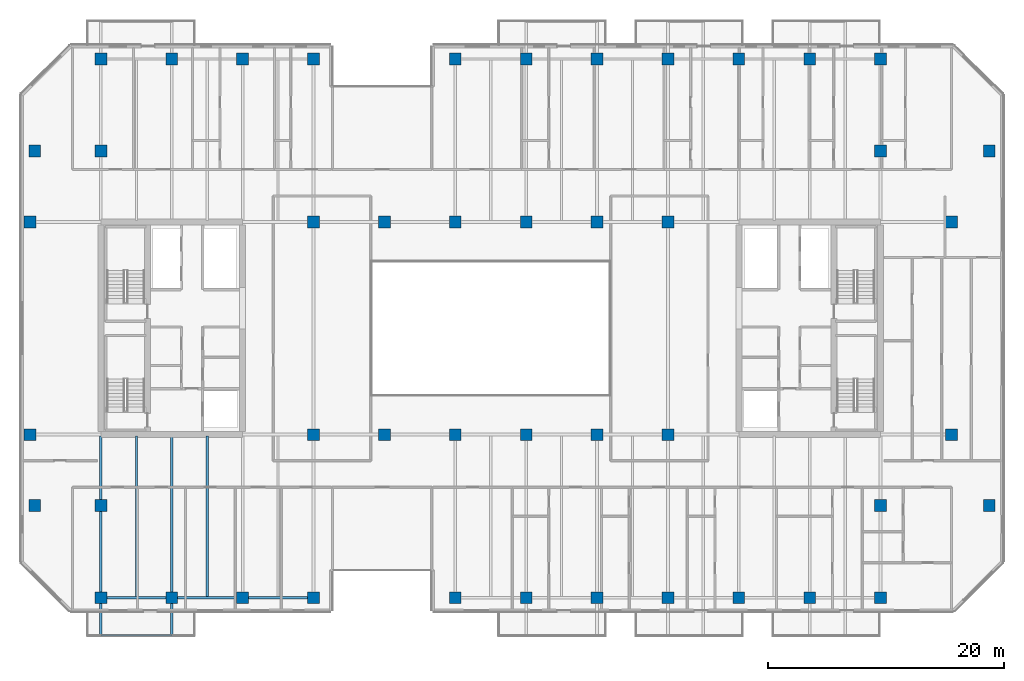
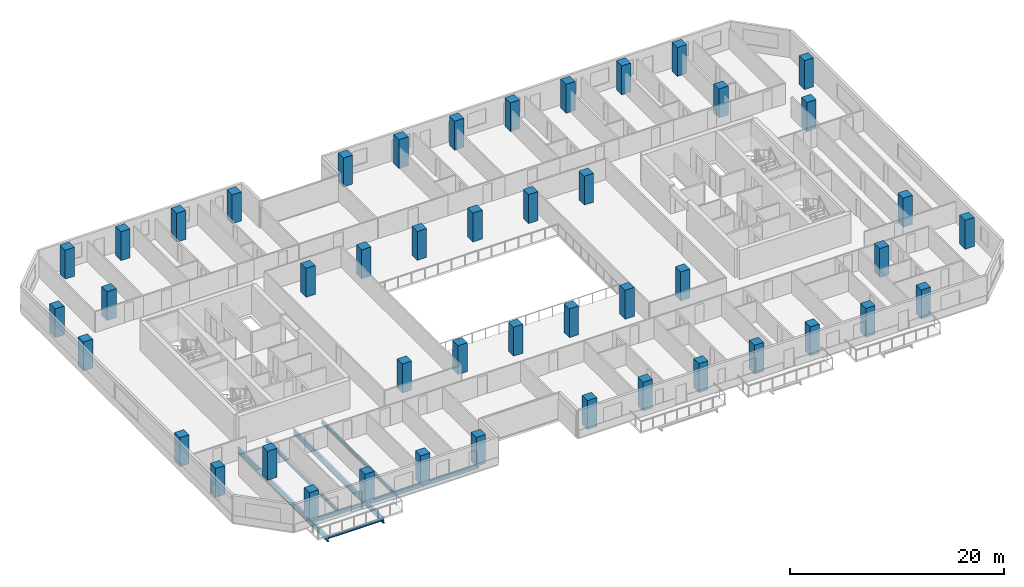
# One storey, part 1 of 23: 46 columns, 8 beams.
"""IFC4 building model written with IfcOpenShell, lengths in metres."""

import ifcopenshell
import ifcopenshell.guid

model = None  # the IFC model being written
_history = None  # IfcOwnerHistory: only IFC2X3 demands one
_inside = {}  # id of a spatial element -> (the spatial element, [elements in it])
_under = {}  # id of a project, library or spatial element -> (it, [spatial elements below it])
_declared = {}  # id of a project -> (the project, [libraries it declares])
_typed = {}  # id of a type object -> (the type object, [elements of that type])
_made_of = {}  # id of a material, layer set ... -> (it, [elements and type objects made of it])


def new_model(schema):
    """Start an empty IFC model of exactly this schema.

    Asked for "IFC4X3", IfcOpenShell would pick the latest addendum, in which some entities
    have other attributes; the version numbers below select the first issue.
    IFC2X3 requires an IfcOwnerHistory on every rooted entity: one is made here for all.
    """
    global model, _history
    if schema == "IFC4X3":
        model = ifcopenshell.file(schema_version=(4, 3, 0, 0))
    else:
        model = ifcopenshell.file(schema=schema)
    _inside.clear()
    _under.clear()
    _declared.clear()
    _typed.clear()
    _made_of.clear()
    _history = None
    if model.schema == "IFC2X3":
        org = make("IfcOrganization", Name="unknown")
        user = make(
            "IfcPersonAndOrganization",
            ThePerson=make("IfcPerson", FamilyName="unknown"),
            TheOrganization=org,
        )
        app = make(
            "IfcApplication",
            ApplicationDeveloper=org,
            Version="unknown",
            ApplicationFullName="unknown",
            ApplicationIdentifier="unknown",
        )
        _history = make(
            "IfcOwnerHistory",
            OwningUser=user,
            OwningApplication=app,
            ChangeAction="ADDED",
            CreationDate=0,
        )
    return model


def make(cls, **values):
    """One entity of the class cls with the attributes given. An attribute that is None is left unset."""
    return model.create_entity(
        cls, **{name: value for name, value in values.items() if value is not None}
    )


def rooted(cls, **values):
    """An entity with a GlobalId (a new one), such as an element, a storey or a relation."""
    return make(cls, GlobalId=ifcopenshell.guid.new(), OwnerHistory=_history, **values)


def si_unit(unit_type, name, prefix=None):
    """IfcSIUnit, for example si_unit("LENGTHUNIT", "METRE", prefix="MILLI")."""
    return make("IfcSIUnit", UnitType=unit_type, Prefix=prefix, Name=name)


def assignment(units):
    """IfcUnitAssignment: the units of a project."""
    return None if units is None else make("IfcUnitAssignment", Units=units)


def point(xyz):
    """IfcCartesianPoint."""
    return None if xyz is None else make("IfcCartesianPoint", Coordinates=xyz)


def direction(xyz):
    """IfcDirection."""
    return None if xyz is None else make("IfcDirection", DirectionRatios=xyz)


def frame(location, z_axis=None, x_axis=None):
    """IfcAxis2Placement3D, a coordinate frame: its origin and axes. An axis left out is left unset."""
    return make(
        "IfcAxis2Placement3D",
        Location=point(location),
        Axis=direction(z_axis),
        RefDirection=direction(x_axis),
    )


def frame_2d(location, x_axis=None):
    """IfcAxis2Placement2D, a coordinate frame in the plane: its origin and x axis."""
    return make(
        "IfcAxis2Placement2D", Location=point(location), RefDirection=direction(x_axis)
    )


def origin():
    """The frame at (0, 0, 0) with its axes left unset."""
    return frame((0.0, 0.0, 0.0))


def origin_2d():
    """The frame at (0, 0) in the plane with its x axis left unset."""
    return frame_2d((0.0, 0.0))


def place(relative_to, where):
    """IfcLocalPlacement: puts the frame where relative to a parent placement (None: the world)."""
    return make(
        "IfcLocalPlacement", PlacementRelTo=relative_to, RelativePlacement=where
    )


def context(
    kind, dimensions, precision=None, world=None, true_north=None, identifier=None
):
    """IfcGeometricRepresentationContext, for example the 3D "Model" context."""
    return make(
        "IfcGeometricRepresentationContext",
        ContextIdentifier=identifier,
        ContextType=kind,
        CoordinateSpaceDimension=dimensions,
        Precision=precision,
        WorldCoordinateSystem=world,
        TrueNorth=true_north,
    )


def subcontext(parent, identifier, kind, view, scale=None):
    """IfcGeometricRepresentationSubContext, for example "Body" below "Model"."""
    return make(
        "IfcGeometricRepresentationSubContext",
        ContextIdentifier=identifier,
        ContextType=kind,
        ParentContext=parent,
        TargetScale=scale,
        TargetView=view,
    )


def project(units=None, contexts=None):
    """IfcProject with its units and contexts."""
    return rooted(
        "IfcProject",
        Name="project",
        RepresentationContexts=contexts,
        UnitsInContext=assignment(units),
    )


def spatial(cls, under=None, at=None, **own):
    """A site, building, storey or space (cls), placed at a placement, below another one or the project."""
    s = rooted(cls, ObjectPlacement=at, **own)
    if under is not None:
        _under.setdefault(under.id(), (under, []))[1].append(s)
    return s


def profile(cls, at=None, kind="AREA", **sizes):
    """A parametric profile (cls). Its sizes go by their IFC names, for example OverallWidth=200.0."""
    return make(cls, ProfileType=kind, Position=at, **sizes)


def rectangle(**sizes):
    """IfcRectangleProfileDef."""
    return profile("IfcRectangleProfileDef", **sizes)


def hollow_rectangle(**sizes):
    """IfcRectangleHollowProfileDef."""
    return profile("IfcRectangleHollowProfileDef", **sizes)


def i_section(**sizes):
    """IfcIShapeProfileDef."""
    return profile("IfcIShapeProfileDef", **sizes)


def extrude(swept, where, along, depth):
    """IfcExtrudedAreaSolid: the profile swept, set in the frame where, extruded along a direction by depth."""
    return make(
        "IfcExtrudedAreaSolid",
        SweptArea=swept,
        Position=where,
        ExtrudedDirection=direction(along),
        Depth=depth,
    )


def shape(context_of_items, identifier, shape_type, items):
    """IfcShapeRepresentation: the items that make up one representation, for example the "Body"."""
    return make(
        "IfcShapeRepresentation",
        ContextOfItems=context_of_items,
        RepresentationIdentifier=identifier,
        RepresentationType=shape_type,
        Items=items,
    )


def material(Name=None, Category=None):
    """IfcMaterial."""
    return make("IfcMaterial", Name=Name, Category=Category)


def material_profile(
    of_material, cross_section, Name=None, Category=None, Priority=None
):
    """IfcMaterialProfile: a cross section and its material."""
    return make(
        "IfcMaterialProfile",
        Name=Name,
        Material=of_material,
        Profile=cross_section,
        Priority=Priority,
        Category=Category,
    )


def profile_set(profiles, Name=None, composite=None):
    """IfcMaterialProfileSet."""
    return make(
        "IfcMaterialProfileSet",
        Name=Name,
        MaterialProfiles=profiles,
        CompositeProfile=composite,
    )


def made_of(thing, what):
    """Note that an element or type object is made of a material, layer set ...; save() writes the relation."""
    if what is not None:
        _made_of.setdefault(what.id(), (what, []))[1].append(thing)
    return thing


def type_object(cls, material=None, **own):
    """A type object (cls), such as IfcWallType, which elements share."""
    return made_of(rooted(cls, **own), material)


def element(
    cls,
    number,
    at=None,
    inside=None,
    cuts=None,
    type_object=None,
    material=None,
    context=None,
    identifier="Body",
    shape_type=None,
    held_by="IfcProductDefinitionShape",
    body=None,
    shapes=None,
    **own,
):
    """One element of the class cls, such as IfcWall. Its Tag is "e" and its number.

    at: its placement. inside: the storey or other place that contains it. cuts: it is an
    opening in that element (IfcRelVoidsElement). A single representation is given by context,
    identifier, shape_type and body (its items); several are given by shapes. held_by: the class
    of the entity that holds the representations. save() writes the other relations.
    """
    e = rooted(cls, Tag="e%d" % number, ObjectPlacement=at, **own)
    if body is not None:
        shapes = [shape(context, identifier, shape_type, body)]
    if shapes is not None:
        e.Representation = make(held_by, Representations=shapes)
    if inside is not None:
        _inside.setdefault(inside.id(), (inside, []))[1].append(e)
    if cuts is not None:
        rooted(
            "IfcRelVoidsElement", RelatingBuildingElement=cuts, RelatedOpeningElement=e
        )
    if type_object is not None:
        _typed.setdefault(type_object.id(), (type_object, []))[1].append(e)
    return made_of(e, material)


def aggregate(whole, parts):
    """IfcRelAggregates: a whole, such as a stair, and the parts it consists of."""
    return rooted("IfcRelAggregates", RelatingObject=whole, RelatedObjects=parts)


def save(model, path):
    """Write the relations noted so far, then the file.

    IfcRelAggregates (storeys below a building ...), IfcRelContainedInSpatialStructure (elements
    in a storey), IfcRelDefinesByType, IfcRelAssociatesMaterial and IfcRelDeclares: one each for
    every whole, place, type object, material and project.
    """
    for whole, parts in _under.values():
        aggregate(whole, parts)
    for where, things in _inside.values():
        rooted(
            "IfcRelContainedInSpatialStructure",
            RelatedElements=things,
            RelatingStructure=where,
        )
    for kind, things in _typed.values():
        rooted("IfcRelDefinesByType", RelatedObjects=things, RelatingType=kind)
    for what, things in _made_of.values():
        rooted("IfcRelAssociatesMaterial", RelatedObjects=things, RelatingMaterial=what)
    for by, libraries in _declared.values():
        rooted("IfcRelDeclares", RelatingContext=by, RelatedDefinitions=libraries)
    model.write(path)


model = new_model("IFC4")

# Units and contexts
model_context = context("Model", 3, precision=1e-05, world=origin(), true_north=direction((0.0, 1.0)))
body_context = subcontext(model_context, "Body", "Model", "MODEL_VIEW")
ifc_project = project(units=[si_unit("LENGTHUNIT", "METRE"), si_unit("AREAUNIT", "SQUARE_METRE"), si_unit("VOLUMEUNIT", "CUBIC_METRE"), si_unit("PLANEANGLEUNIT", "RADIAN"), si_unit("MASSUNIT", "GRAM", prefix="KILO")], contexts=[model_context])

# Site, building, storey
site_placement = place(None, origin())
site = spatial("IfcSite", under=ifc_project, at=site_placement, CompositionType="ELEMENT")
building_placement = place(site_placement, origin())
building = spatial("IfcBuilding", under=site, at=building_placement, Name="Tanjung Sevakor Pilgrim Tower", CompositionType="ELEMENT")
storey_placement = place(building_placement, frame((0.0, 0.0, 98.669921875)))
storey = spatial("IfcBuildingStorey", under=building, at=storey_placement, Name="L27", CompositionType="ELEMENT", Elevation=98.669921875)

# Columns
ifc_material_1 = material(Name="Concrete C60/75", Category="concrete")
ifc_material_profile_1 = material_profile(ifc_material_1, rectangle(XDim=1.0, YDim=1.0, at=origin_2d()))
ifc_profile_set_1 = profile_set([ifc_material_profile_1], Name="Concrete C60/75")
column_type = type_object("IfcColumnType", Name="COL-C-T1000-RC_1000x1000", PredefinedType="COLUMN", material=ifc_profile_set_1)
for number, where, z_axis, x_axis, name in (
    (1, (18.0, 24.60009765625, 0.0), (0.0, 0.0, 1.0), (1.0, 0.0, 0.0), "L27 Column SPW-018-246"),
    (2, (18.0, 42.60009765625, 0.0), (0.0, 0.0, 1.0), (1.0, 0.0, 0.0), "L27 Column SPW-018-426"),
    (3, (42.0, 24.60009765625, 0.0), (0.0, 0.0, 1.0), (1.0, 0.0, 0.0), "L27 Column SPW-042-246"),
    (4, (42.0, 42.60009765625, 0.0), (0.0, 0.0, 1.0), (1.0, 0.0, 0.0), "L27 Column SPW-042-426"),
    (5, (48.0, 24.60009765625, 0.0), (0.0, 0.0, 1.0), (1.0, 0.0, 0.0), "L27 Column SPW-048-246"),
    (6, (48.0, 42.60009765625, 0.0), (0.0, 0.0, 1.0), (1.0, 0.0, 0.0), "L27 Column SPW-048-426"),
    (7, (54.0, 24.60009765625, 0.0), (0.0, 0.0, 1.0), (1.0, 0.0, 0.0), "L27 Column SPE-054-246"),
    (8, (54.0, 42.60009765625, 0.0), (0.0, 0.0, 1.0), (1.0, 0.0, 0.0), "L27 Column SPE-054-426"),
    (9, (60.0, 24.60009765625, 0.0), (0.0, 0.0, 1.0), (1.0, 0.0, 0.0), "L27 Column SPE-060-246"),
    (10, (60.0, 42.60009765625, 0.0), (0.0, 0.0, 1.0), (1.0, 0.0, 0.0), "L27 Column SPE-060-426"),
    (11, (66.0, 24.60009765625, 0.0), (0.0, 0.0, 1.0), (1.0, 0.0, 0.0), "L27 Column SPE-066-246"),
    (12, (66.0, 42.60009765625, 0.0), (0.0, 0.0, 1.0), (1.0, 0.0, 0.0), "L27 Column SPE-066-426"),
    (13, (72.0, 24.60009765625, 0.0), (0.0, 0.0, 1.0), (1.0, 0.0, 0.0), "L27 Column SPE-072-246"),
    (14, (72.0, 42.60009765625, 0.0), (0.0, 0.0, 1.0), (1.0, 0.0, 0.0), "L27 Column SPE-072-426"),
    (15, (96.0, 24.60009765625, 0.0), (0.0, 0.0, 1.0), (1.0, 0.0, 0.0), "L27 Column SPE-096-246"),
    (16, (96.0, 42.60009765625, 0.0), (0.0, 0.0, 1.0), (1.0, 0.0, 0.0), "L27 Column SPE-096-426"),
    (17, (18.39990234375, 18.60009765625, 0.0), (0.0, 0.0, 1.0), (1.0, 0.0, 0.0), "L27 Column TCE-0184-186"),
    (18, (18.39990234375, 48.60009765625, 0.0), (0.0, 0.0, 1.0), (1.0, 0.0, 0.0), "L27 Column TCE-0184-486"),
    (19, (24.0, 18.60009765625, 0.0), (0.0, 0.0, 1.0), (1.0, 0.0, 0.0), "L27 Column TCE-0240-186"),
    (20, (24.0, 48.60009765625, 0.0), (0.0, 0.0, 1.0), (1.0, 0.0, 0.0), "L27 Column TCE-0240-486"),
    (21, (90.0, 18.60009765625, 0.0), (0.0, 0.0, 1.0), (1.0, 0.0, 0.0), "L27 Column TCE-0900-186"),
    (22, (90.0, 48.60009765625, 0.0), (0.0, 0.0, 1.0), (1.0, 0.0, 0.0), "L27 Column TCE-0900-486"),
    (23, (99.199951171875, 18.60009765625, 0.0), (0.0, 0.0, 1.0), (1.0, 0.0, 0.0), "L27 Column TCE-0992-186"),
    (24, (99.199951171875, 48.60009765625, 0.0), (0.0, 0.0, 1.0), (1.0, 0.0, 0.0), "L27 Column TCE-0992-486"),
    (25, (24.0, 10.800048828125, 0.0), (0.0, 0.0, 1.0), (1.0, 0.0, 0.0), "L27 Column TC2-024-108"),
    (26, (24.0, 56.39990234375, 0.0), (0.0, 0.0, 1.0), (1.0, 0.0, 0.0), "L27 Column TC2-024-564"),
    (27, (30.0, 10.800048828125, 0.0), (0.0, 0.0, 1.0), (1.0, 0.0, 0.0), "L27 Column TC2-030-108"),
    (28, (30.0, 56.39990234375, 0.0), (0.0, 0.0, 1.0), (1.0, 0.0, 0.0), "L27 Column TC2-030-564"),
    (29, (36.0, 10.800048828125, 0.0), (0.0, 0.0, 1.0), (1.0, 0.0, 0.0), "L27 Column TC2-036-108"),
    (30, (36.0, 56.39990234375, 0.0), (0.0, 0.0, 1.0), (1.0, 0.0, 0.0), "L27 Column TC2-036-564"),
    (31, (42.0, 10.800048828125, 0.0), (0.0, 0.0, 1.0), (1.0, 0.0, 0.0), "L27 Column TC2-042-108"),
    (32, (42.0, 56.39990234375, 0.0), (0.0, 0.0, 1.0), (1.0, 0.0, 0.0), "L27 Column TC2-042-564"),
    (33, (54.0, 10.800048828125, 0.0), (0.0, 0.0, 1.0), (1.0, 0.0, 0.0), "L27 Column TC2-054-108"),
    (34, (54.0, 56.39990234375, 0.0), (0.0, 0.0, 1.0), (1.0, 0.0, 0.0), "L27 Column TC2-054-564"),
    (35, (60.0, 10.800048828125, 0.0), (0.0, 0.0, 1.0), (1.0, 0.0, 0.0), "L27 Column TC2-060-108"),
    (36, (60.0, 56.39990234375, 0.0), (0.0, 0.0, 1.0), (1.0, 0.0, 0.0), "L27 Column TC2-060-564"),
    (37, (66.0, 10.800048828125, 0.0), (0.0, 0.0, 1.0), (1.0, 0.0, 0.0), "L27 Column TC2-066-108"),
    (38, (66.0, 56.39990234375, 0.0), (0.0, 0.0, 1.0), (1.0, 0.0, 0.0), "L27 Column TC2-066-564"),
    (39, (72.0, 10.800048828125, 0.0), (0.0, 0.0, 1.0), (1.0, 0.0, 0.0), "L27 Column TC2-072-108"),
    (40, (72.0, 56.39990234375, 0.0), (0.0, 0.0, 1.0), (1.0, 0.0, 0.0), "L27 Column TC2-072-564"),
    (41, (78.0, 10.800048828125, 0.0), (0.0, 0.0, 1.0), (1.0, 0.0, 0.0), "L27 Column TC2-078-108"),
    (42, (78.0, 56.39990234375, 0.0), (0.0, 0.0, 1.0), (1.0, 0.0, 0.0), "L27 Column TC2-078-564"),
    (43, (84.0, 10.800048828125, 0.0), (0.0, 0.0, 1.0), (1.0, 0.0, 0.0), "L27 Column TC2-084-108"),
    (44, (84.0, 56.39990234375, 0.0), (0.0, 0.0, 1.0), (1.0, 0.0, 0.0), "L27 Column TC2-084-564"),
    (45, (90.0, 10.800048828125, 0.0), (0.0, 0.0, 1.0), (1.0, 0.0, 0.0), "L27 Column TC2-090-108"),
    (46, (90.0, 56.39990234375, 0.0), (0.0, 0.0, 1.0), (1.0, 0.0, 0.0), "L27 Column TC2-090-564"),
):
    element("IfcColumn", number, at=place(storey_placement, frame(where, z_axis=z_axis, x_axis=x_axis)), inside=storey, type_object=column_type, Name=name, PredefinedType="COLUMN", context=body_context, shape_type="SweptSolid", body=[
        extrude(rectangle(XDim=1.0, YDim=1.0, at=origin_2d()), origin(), (0.0, 0.0, 1.0), 3.300048828125),
    ])

# Beams
ifc_material_2 = material(Name="Steel S355J2", Category="steel")
ifc_material_profile_2 = material_profile(ifc_material_2, i_section(OverallWidth=0.230224609375, OverallDepth=0.6171875, WebThickness=0.01318359375, FlangeThickness=0.022216796875, FilletRadius=0.0126953125, at=origin_2d()))
ifc_profile_set_2 = profile_set([ifc_material_profile_2], Name="Steel S355J2")
beam_type_1 = type_object("IfcBeamType", Name="BM-B-G3-UB_610x229x140", PredefinedType="BEAM", material=ifc_profile_set_2)
for number, where, z_axis, x_axis, name in (
    (47, (24.0, 24.47265625, -0.528564453125), (0.0, -1.0, 0.0), (1.0, 0.0, 0.0), "L27 Balcony Cantilever Beam MAIN-S1-1"),
    (48, (30.0, 24.47265625, -0.528564453125), (0.0, -1.0, 0.0), (1.0, 0.0, 0.0), "L27 Balcony Cantilever Beam MAIN-S1-2"),
):
    element("IfcBeam", number, at=place(storey_placement, frame(where, z_axis=z_axis, x_axis=x_axis)), inside=storey, type_object=beam_type_1, Name=name, PredefinedType="BEAM", context=body_context, shape_type="SweptSolid", body=[
        extrude(i_section(OverallWidth=0.230224609375, OverallDepth=0.6171875, WebThickness=0.01318359375, FlangeThickness=0.022216796875, FilletRadius=0.0126953125, at=origin_2d()), origin(), (0.0, 0.0, 1.0), 16.8525390625),
    ])
ifc_material_3 = material(Name="Steel S355J2", Category="steel")
ifc_material_profile_3 = material_profile(ifc_material_3, i_section(OverallWidth=0.1787109375, OverallDepth=0.409423828125, WebThickness=0.0087890625, FlangeThickness=0.014404296875, FilletRadius=0.01025390625, at=origin_2d()))
ifc_profile_set_3 = profile_set([ifc_material_profile_3], Name="Steel S355J2")
beam_type_2 = type_object("IfcBeamType", Name="BM-B-J3-UB_406x178x67", PredefinedType="JOIST", material=ifc_profile_set_3)
for number, where, z_axis, x_axis, name in (
    (49, (27.0, 10.89990234375, -0.424560546875), (0.0, 1.0, 0.0), (-1.0, 0.0, 0.0), "L27 MAIN Joist 001"),
    (50, (33.0, 10.89990234375, -0.424560546875), (0.0, 1.0, 0.0), (-1.0, 0.0, 0.0), "L27 MAIN Joist 003"),
):
    element("IfcBeam", number, at=place(storey_placement, frame(where, z_axis=z_axis, x_axis=x_axis)), inside=storey, type_object=beam_type_2, Name=name, PredefinedType="JOIST", context=body_context, shape_type="SweptSolid", body=[
        extrude(i_section(OverallWidth=0.1787109375, OverallDepth=0.409423828125, WebThickness=0.0087890625, FlangeThickness=0.014404296875, FilletRadius=0.01025390625, at=origin_2d()), origin(), (0.0, 0.0, 1.0), 13.57275390625),
    ])
ifc_material_4 = material(Name="Steel S355J2", Category="steel")
ifc_material_profile_4 = material_profile(ifc_material_4, i_section(OverallWidth=0.146484375, OverallDepth=0.256103515625, WebThickness=0.00634765625, FlangeThickness=0.010986328125, FilletRadius=0.007568359375, at=origin_2d()))
ifc_profile_set_4 = profile_set([ifc_material_profile_4], Name="Steel S355J2")
beam_type_3 = type_object("IfcBeamType", Name="BM-B-J6-UB_254x146x37", PredefinedType="JOIST", material=ifc_profile_set_4)
beam_placement = place(storey_placement, frame((24.0, 7.6201171875, -0.327880859375), z_axis=(1.0, 0.0, 0.0), x_axis=(0.0, 1.0, 0.0)))
element("IfcBeam", 51, at=beam_placement, inside=storey, type_object=beam_type_3, Name="L27 Balcony Rim Tie MAIN-S1", PredefinedType="JOIST", context=body_context, shape_type="SweptSolid", body=[
    extrude(i_section(OverallWidth=0.146484375, OverallDepth=0.256103515625, WebThickness=0.00634765625, FlangeThickness=0.010986328125, FilletRadius=0.007568359375, at=origin_2d()), origin(), (0.0, 0.0, 1.0), 6.0),
])
ifc_material_5 = material(Name="Steel S355J2", Category="steel")
ifc_material_profile_5 = material_profile(ifc_material_5, hollow_rectangle(XDim=0.199951171875, YDim=0.39990234375, WallThickness=0.01611328125, at=origin_2d()))
ifc_profile_set_5 = profile_set([ifc_material_profile_5], Name="Steel S355J2")
beam_type_4 = type_object("IfcBeamType", Name="BM-B-SP2-RHS_400x200x16", PredefinedType="SPANDREL", material=ifc_profile_set_5)
for number, where, z_axis, x_axis, name in (
    (52, (24.0, 10.800048828125, -0.419921875), (1.0, 0.0, 0.0), (0.0, 1.0, 0.0), "L27 Spandrel MAIN S-01"),
    (53, (30.0, 10.800048828125, -0.419921875), (1.0, 0.0, 0.0), (0.0, 1.0, 0.0), "L27 Spandrel MAIN S-03"),
    (54, (36.0, 10.800048828125, -0.419921875), (1.0, 0.0, 0.0), (0.0, 1.0, 0.0), "L27 Spandrel MAIN S-05"),
):
    element("IfcBeam", number, at=place(storey_placement, frame(where, z_axis=z_axis, x_axis=x_axis)), inside=storey, type_object=beam_type_4, Name=name, PredefinedType="SPANDREL", context=body_context, shape_type="SweptSolid", body=[
        extrude(hollow_rectangle(XDim=0.199951171875, YDim=0.39990234375, WallThickness=0.01611328125, at=origin_2d()), origin(), (0.0, 0.0, 1.0), 6.0),
    ])

save(model, "model.ifc")
